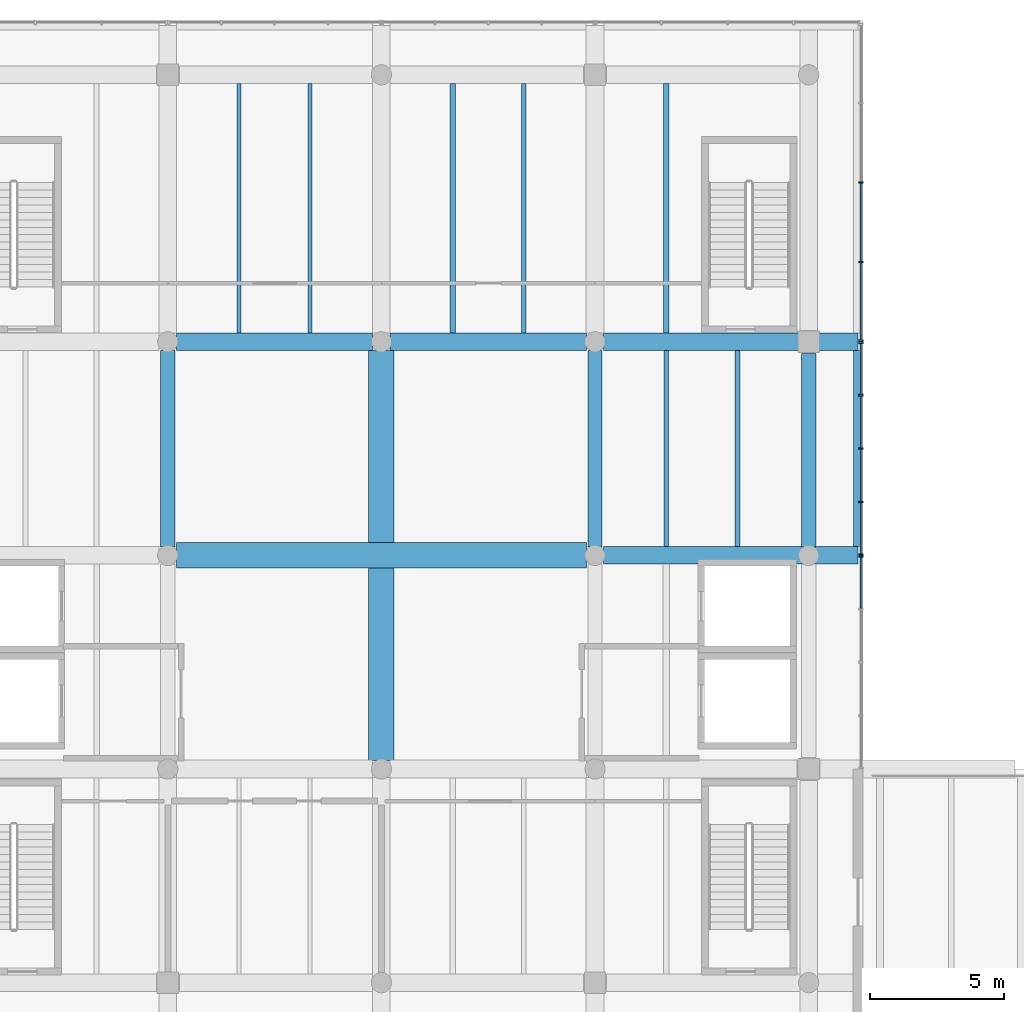
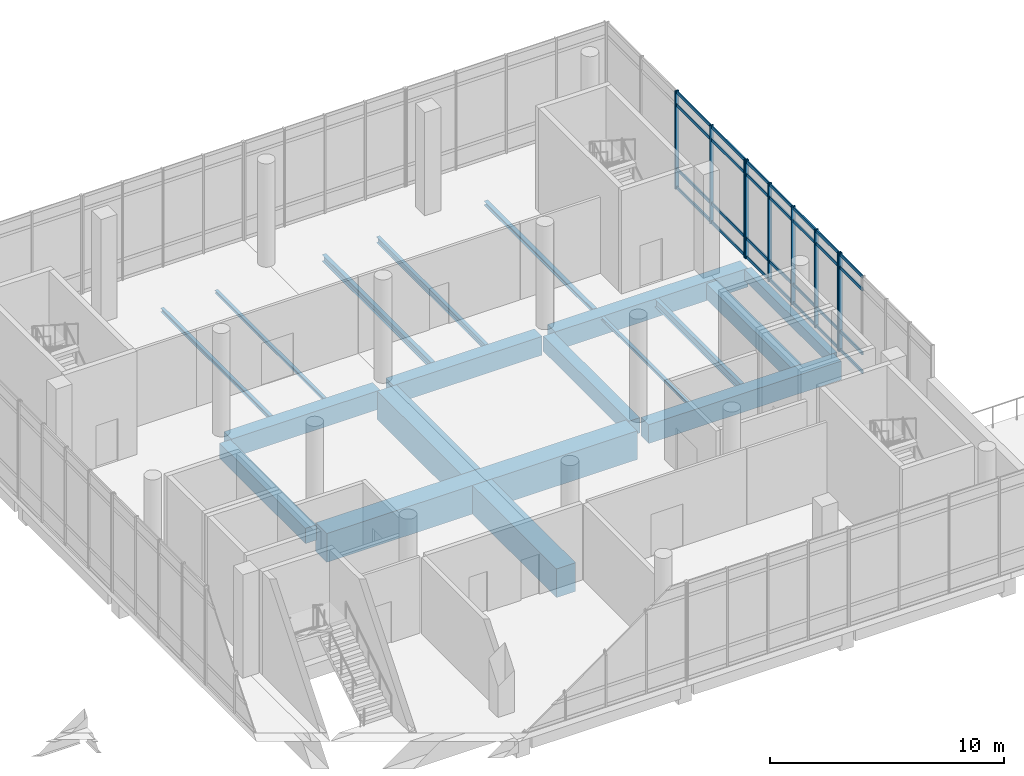
# One storey, part 6 of 20: 37 members, 17 beams, 3 elements without a shape of their own.
"""IFC4 building model written with IfcOpenShell, lengths in metres."""

from ifc_helpers import new_model, si_unit, direction, frame, origin, origin_2d, place, context, subcontext, project, spatial, rectangle, i_section, extrude, material, material_profile, profile_set, type_object, element, aggregate, save


model = new_model("IFC4")

# Units and contexts
model_context = context("Model", 3, precision=1e-05, world=origin(), true_north=direction((0.0, 1.0)))
body_context = subcontext(model_context, "Body", "Model", "MODEL_VIEW")
ifc_project = project(units=[si_unit("LENGTHUNIT", "METRE"), si_unit("AREAUNIT", "SQUARE_METRE"), si_unit("VOLUMEUNIT", "CUBIC_METRE"), si_unit("PLANEANGLEUNIT", "RADIAN"), si_unit("MASSUNIT", "GRAM", prefix="KILO")], contexts=[model_context])

# Site, building, storey
site_placement = place(None, origin())
site = spatial("IfcSite", under=ifc_project, at=site_placement, CompositionType="ELEMENT")
building_placement = place(site_placement, origin())
building = spatial("IfcBuilding", under=site, at=building_placement, Name="Pecanmere Concourse Central Library", CompositionType="ELEMENT")
storey_placement = place(building_placement, frame((0.0, 0.0, 24.89990234375)))
storey = spatial("IfcBuildingStorey", under=building, at=storey_placement, Name="L06", CompositionType="ELEMENT", Elevation=24.89990234375)

# Curtain wall, member
ifc_material_1 = material(Name="Anodized bronze aluminium alloy 6063-T6", Category="aluminium")
curtain_wall_type = type_object("IfcCurtainWallType", Name="CW_PLUMB_BANDED", PredefinedType="USERDEFINED", material=ifc_material_1)
curtain_wall_1_placement = place(storey_placement, origin())
curtain_wall_1 = element("IfcCurtainWall", 1, at=curtain_wall_1_placement, inside=storey, type_object=curtain_wall_type, Name="Unitised Curtain Wall CW-02 L06-078", ObjectType="UNITISED CURTAIN WALL", PredefinedType="USERDEFINED")
ifc_material_2 = material(Name="Anodized bronze aluminium alloy 6063-T6", Category="aluminium")
ifc_material_profile_1 = material_profile(ifc_material_2, rectangle(XDim=0.06494140625, YDim=0.179931640625, at=origin_2d()), Name="AL 65x180")
ifc_profile_set_1 = profile_set([ifc_material_profile_1], Name="Anodized bronze aluminium alloy 6063-T6")
member_type_1 = type_object("IfcMemberType", Name="CWM_180x65", PredefinedType="MULLION", material=ifc_profile_set_1)
member_1_placement = place(storey_placement, frame((105.96142578125, 105.96240234375, 0.0), z_axis=(0.0, 0.0, 1.0), x_axis=(0.0, 1.0, 0.0)))
member_1 = element("IfcMember", 2, at=member_1_placement, type_object=member_type_1, Name="CW-02 Mullion 5", PredefinedType="MULLION", context=body_context, shape_type="SweptSolid", body=[
    extrude(rectangle(XDim=0.06494140625, YDim=0.179931640625, at=origin_2d()), origin(), (0.0, 0.0, 1.0), 5.14013671875),
])

# Curtain wall, members
curtain_wall_2_placement = place(storey_placement, origin())
curtain_wall_2 = element("IfcCurtainWall", 3, at=curtain_wall_2_placement, inside=storey, type_object=curtain_wall_type, Name="Unitised Curtain Wall CW-02 L06-079", ObjectType="UNITISED CURTAIN WALL", PredefinedType="USERDEFINED")
member_2_placement = place(storey_placement, frame((105.96142578125, 106.03759765625, 0.0), z_axis=(0.0, 0.0, 1.0), x_axis=(0.0, 1.0, 0.0)))
member_2 = element("IfcMember", 4, at=member_2_placement, type_object=member_type_1, Name="CW-02 Mullion 1", PredefinedType="MULLION", context=body_context, shape_type="SweptSolid", body=[
    extrude(rectangle(XDim=0.06494140625, YDim=0.179931640625, at=origin_2d()), origin(), (0.0, 0.0, 1.0), 5.14013671875),
])
member_3_placement = place(storey_placement, frame((105.96142578125, 108.00244140625, 0.0), z_axis=(0.0, 0.0, 1.0), x_axis=(0.0, 1.0, 0.0)))
member_3 = element("IfcMember", 5, at=member_3_placement, type_object=member_type_1, Name="CW-02 Mullion 2", PredefinedType="MULLION", context=body_context, shape_type="SweptSolid", body=[
    extrude(rectangle(XDim=0.06494140625, YDim=0.179931640625, at=origin_2d()), origin(), (0.0, 0.0, 1.0), 5.14013671875),
])
member_4_placement = place(storey_placement, frame((105.96142578125, 110.0, 0.0), z_axis=(0.0, 0.0, 1.0), x_axis=(0.0, 1.0, 0.0)))
member_4 = element("IfcMember", 6, at=member_4_placement, type_object=member_type_1, Name="CW-02 Mullion 3", PredefinedType="MULLION", context=body_context, shape_type="SweptSolid", body=[
    extrude(rectangle(XDim=0.06494140625, YDim=0.179931640625, at=origin_2d()), origin(), (0.0, 0.0, 1.0), 5.14013671875),
])
member_5_placement = place(storey_placement, frame((105.96142578125, 111.99755859375, 0.0), z_axis=(0.0, 0.0, 1.0), x_axis=(0.0, 1.0, 0.0)))
member_5 = element("IfcMember", 7, at=member_5_placement, type_object=member_type_1, Name="CW-02 Mullion 4", PredefinedType="MULLION", context=body_context, shape_type="SweptSolid", body=[
    extrude(rectangle(XDim=0.06494140625, YDim=0.179931640625, at=origin_2d()), origin(), (0.0, 0.0, 1.0), 5.14013671875),
])
member_6_placement = place(storey_placement, frame((105.96142578125, 113.96240234375, 0.0), z_axis=(0.0, 0.0, 1.0), x_axis=(0.0, 1.0, 0.0)))
member_6 = element("IfcMember", 8, at=member_6_placement, type_object=member_type_1, Name="CW-02 Mullion 5", PredefinedType="MULLION", context=body_context, shape_type="SweptSolid", body=[
    extrude(rectangle(XDim=0.06494140625, YDim=0.179931640625, at=origin_2d()), origin(), (0.0, 0.0, 1.0), 5.14013671875),
])

curtain_wall_3_placement = place(storey_placement, origin())
curtain_wall_3 = element("IfcCurtainWall", 9, at=curtain_wall_3_placement, inside=storey, type_object=curtain_wall_type, Name="Unitised Curtain Wall CW-02 L06-080", ObjectType="UNITISED CURTAIN WALL", PredefinedType="USERDEFINED")
member_7_placement = place(storey_placement, frame((105.96142578125, 114.03759765625, 0.0), z_axis=(0.0, 0.0, 1.0), x_axis=(0.0, 1.0, 0.0)))
member_7 = element("IfcMember", 10, at=member_7_placement, type_object=member_type_1, Name="CW-02 Mullion 1", PredefinedType="MULLION", context=body_context, shape_type="SweptSolid", body=[
    extrude(rectangle(XDim=0.06494140625, YDim=0.179931640625, at=origin_2d()), origin(), (0.0, 0.0, 1.0), 5.14013671875),
])
member_8_placement = place(storey_placement, frame((105.96142578125, 116.984130859375, 0.0), z_axis=(0.0, 0.0, 1.0), x_axis=(0.0, 1.0, 0.0)))
member_8 = element("IfcMember", 11, at=member_8_placement, type_object=member_type_1, Name="CW-02 Mullion 2", PredefinedType="MULLION", context=body_context, shape_type="SweptSolid", body=[
    extrude(rectangle(XDim=0.06494140625, YDim=0.179931640625, at=origin_2d()), origin(), (0.0, 0.0, 1.0), 5.14013671875),
])
member_9_placement = place(storey_placement, frame((105.96142578125, 119.963134765625, 0.0), z_axis=(0.0, 0.0, 1.0), x_axis=(0.0, 1.0, 0.0)))
member_9 = element("IfcMember", 12, at=member_9_placement, type_object=member_type_1, Name="CW-02 Mullion 3", PredefinedType="MULLION", context=body_context, shape_type="SweptSolid", body=[
    extrude(rectangle(XDim=0.06494140625, YDim=0.179931640625, at=origin_2d()), origin(), (0.0, 0.0, 1.0), 5.14013671875),
])

# Member
ifc_material_3 = material(Name="Anodized bronze aluminium alloy 6063-T6", Category="aluminium")
ifc_material_profile_2 = material_profile(ifc_material_3, rectangle(XDim=0.06005859375, YDim=0.159912109375, at=origin_2d()), Name="AL 60x160")
ifc_profile_set_2 = profile_set([ifc_material_profile_2], Name="Anodized bronze aluminium alloy 6063-T6")
member_type_2 = type_object("IfcMemberType", Name="CWT_160x60", PredefinedType="USERDEFINED", material=ifc_profile_set_2)
member_10_placement = place(storey_placement, frame((105.96142578125, 104.030029296875, 0.080078125), z_axis=(0.0, 1.0, 0.0), x_axis=(-1.0, 0.0, 0.0)))
member_10 = element("IfcMember", 13, at=member_10_placement, type_object=member_type_2, Name="CW-02 Transom 4.1", ObjectType="TRANSOM", PredefinedType="USERDEFINED", context=body_context, shape_type="SweptSolid", body=[
    extrude(rectangle(XDim=0.06005859375, YDim=0.159912109375, at=origin_2d()), origin(), (0.0, 0.0, 1.0), 1.89990234375),
])

member_11_placement = place(storey_placement, frame((105.96142578125, 104.030029296875, 1.050048828125), z_axis=(0.0, 1.0, 0.0), x_axis=(-1.0, 0.0, 0.0)))
member_11 = element("IfcMember", 14, at=member_11_placement, type_object=member_type_2, Name="CW-02 Transom 4.2", ObjectType="TRANSOM", PredefinedType="USERDEFINED", context=body_context, shape_type="SweptSolid", body=[
    extrude(rectangle(XDim=0.06005859375, YDim=0.159912109375, at=origin_2d()), origin(), (0.0, 0.0, 1.0), 1.89990234375),
])

member_12_placement = place(storey_placement, frame((105.96142578125, 104.030029296875, 4.39013671875), z_axis=(0.0, 1.0, 0.0), x_axis=(-1.0, 0.0, 0.0)))
member_12 = element("IfcMember", 15, at=member_12_placement, type_object=member_type_2, Name="CW-02 Transom 4.3", ObjectType="TRANSOM", PredefinedType="USERDEFINED", context=body_context, shape_type="SweptSolid", body=[
    extrude(rectangle(XDim=0.06005859375, YDim=0.159912109375, at=origin_2d()), origin(), (0.0, 0.0, 1.0), 1.89990234375),
])

member_13_placement = place(storey_placement, frame((105.96142578125, 104.030029296875, 5.06005859375), z_axis=(0.0, 1.0, 0.0), x_axis=(-1.0, 0.0, 0.0)))
member_13 = element("IfcMember", 16, at=member_13_placement, type_object=member_type_2, Name="CW-02 Transom 4.4", ObjectType="TRANSOM", PredefinedType="USERDEFINED", context=body_context, shape_type="SweptSolid", body=[
    extrude(rectangle(XDim=0.06005859375, YDim=0.159912109375, at=origin_2d()), origin(), (0.0, 0.0, 1.0), 1.89990234375),
])

aggregate(curtain_wall_1, [member_1, member_10, member_11, member_12, member_13])

member_14_placement = place(storey_placement, frame((105.96142578125, 106.070068359375, 0.080078125), z_axis=(0.0, 1.0, 0.0), x_axis=(-1.0, 0.0, 0.0)))
member_14 = element("IfcMember", 17, at=member_14_placement, type_object=member_type_2, Name="CW-02 Transom 1.1", ObjectType="TRANSOM", PredefinedType="USERDEFINED", context=body_context, shape_type="SweptSolid", body=[
    extrude(rectangle(XDim=0.06005859375, YDim=0.159912109375, at=origin_2d()), origin(), (0.0, 0.0, 1.0), 1.89990234375),
])

member_15_placement = place(storey_placement, frame((105.96142578125, 106.070068359375, 1.050048828125), z_axis=(0.0, 1.0, 0.0), x_axis=(-1.0, 0.0, 0.0)))
member_15 = element("IfcMember", 18, at=member_15_placement, type_object=member_type_2, Name="CW-02 Transom 1.2", ObjectType="TRANSOM", PredefinedType="USERDEFINED", context=body_context, shape_type="SweptSolid", body=[
    extrude(rectangle(XDim=0.06005859375, YDim=0.159912109375, at=origin_2d()), origin(), (0.0, 0.0, 1.0), 1.89990234375),
])

member_16_placement = place(storey_placement, frame((105.96142578125, 106.070068359375, 4.39013671875), z_axis=(0.0, 1.0, 0.0), x_axis=(-1.0, 0.0, 0.0)))
member_16 = element("IfcMember", 19, at=member_16_placement, type_object=member_type_2, Name="CW-02 Transom 1.3", ObjectType="TRANSOM", PredefinedType="USERDEFINED", context=body_context, shape_type="SweptSolid", body=[
    extrude(rectangle(XDim=0.06005859375, YDim=0.159912109375, at=origin_2d()), origin(), (0.0, 0.0, 1.0), 1.89990234375),
])

member_17_placement = place(storey_placement, frame((105.96142578125, 106.070068359375, 5.06005859375), z_axis=(0.0, 1.0, 0.0), x_axis=(-1.0, 0.0, 0.0)))
member_17 = element("IfcMember", 20, at=member_17_placement, type_object=member_type_2, Name="CW-02 Transom 1.4", ObjectType="TRANSOM", PredefinedType="USERDEFINED", context=body_context, shape_type="SweptSolid", body=[
    extrude(rectangle(XDim=0.06005859375, YDim=0.159912109375, at=origin_2d()), origin(), (0.0, 0.0, 1.0), 1.89990234375),
])

member_18_placement = place(storey_placement, frame((105.96142578125, 108.034912109375, 0.080078125), z_axis=(0.0, 1.0, 0.0), x_axis=(-1.0, 0.0, 0.0)))
member_18 = element("IfcMember", 21, at=member_18_placement, type_object=member_type_2, Name="CW-02 Transom 2.1", ObjectType="TRANSOM", PredefinedType="USERDEFINED", context=body_context, shape_type="SweptSolid", body=[
    extrude(rectangle(XDim=0.06005859375, YDim=0.159912109375, at=origin_2d()), origin(), (0.0, 0.0, 1.0), 1.9326171875),
])

member_19_placement = place(storey_placement, frame((105.96142578125, 108.034912109375, 1.050048828125), z_axis=(0.0, 1.0, 0.0), x_axis=(-1.0, 0.0, 0.0)))
member_19 = element("IfcMember", 22, at=member_19_placement, type_object=member_type_2, Name="CW-02 Transom 2.2", ObjectType="TRANSOM", PredefinedType="USERDEFINED", context=body_context, shape_type="SweptSolid", body=[
    extrude(rectangle(XDim=0.06005859375, YDim=0.159912109375, at=origin_2d()), origin(), (0.0, 0.0, 1.0), 1.9326171875),
])

member_20_placement = place(storey_placement, frame((105.96142578125, 108.034912109375, 4.39013671875), z_axis=(0.0, 1.0, 0.0), x_axis=(-1.0, 0.0, 0.0)))
member_20 = element("IfcMember", 23, at=member_20_placement, type_object=member_type_2, Name="CW-02 Transom 2.3", ObjectType="TRANSOM", PredefinedType="USERDEFINED", context=body_context, shape_type="SweptSolid", body=[
    extrude(rectangle(XDim=0.06005859375, YDim=0.159912109375, at=origin_2d()), origin(), (0.0, 0.0, 1.0), 1.9326171875),
])

member_21_placement = place(storey_placement, frame((105.96142578125, 108.034912109375, 5.06005859375), z_axis=(0.0, 1.0, 0.0), x_axis=(-1.0, 0.0, 0.0)))
member_21 = element("IfcMember", 24, at=member_21_placement, type_object=member_type_2, Name="CW-02 Transom 2.4", ObjectType="TRANSOM", PredefinedType="USERDEFINED", context=body_context, shape_type="SweptSolid", body=[
    extrude(rectangle(XDim=0.06005859375, YDim=0.159912109375, at=origin_2d()), origin(), (0.0, 0.0, 1.0), 1.9326171875),
])

member_22_placement = place(storey_placement, frame((105.96142578125, 110.032470703125, 0.080078125), z_axis=(0.0, 1.0, 0.0), x_axis=(-1.0, 0.0, 0.0)))
member_22 = element("IfcMember", 25, at=member_22_placement, type_object=member_type_2, Name="CW-02 Transom 3.1", ObjectType="TRANSOM", PredefinedType="USERDEFINED", context=body_context, shape_type="SweptSolid", body=[
    extrude(rectangle(XDim=0.06005859375, YDim=0.159912109375, at=origin_2d()), origin(), (0.0, 0.0, 1.0), 1.9326171875),
])

member_23_placement = place(storey_placement, frame((105.96142578125, 110.032470703125, 1.050048828125), z_axis=(0.0, 1.0, 0.0), x_axis=(-1.0, 0.0, 0.0)))
member_23 = element("IfcMember", 26, at=member_23_placement, type_object=member_type_2, Name="CW-02 Transom 3.2", ObjectType="TRANSOM", PredefinedType="USERDEFINED", context=body_context, shape_type="SweptSolid", body=[
    extrude(rectangle(XDim=0.06005859375, YDim=0.159912109375, at=origin_2d()), origin(), (0.0, 0.0, 1.0), 1.9326171875),
])

member_24_placement = place(storey_placement, frame((105.96142578125, 110.032470703125, 4.39013671875), z_axis=(0.0, 1.0, 0.0), x_axis=(-1.0, 0.0, 0.0)))
member_24 = element("IfcMember", 27, at=member_24_placement, type_object=member_type_2, Name="CW-02 Transom 3.3", ObjectType="TRANSOM", PredefinedType="USERDEFINED", context=body_context, shape_type="SweptSolid", body=[
    extrude(rectangle(XDim=0.06005859375, YDim=0.159912109375, at=origin_2d()), origin(), (0.0, 0.0, 1.0), 1.9326171875),
])

member_25_placement = place(storey_placement, frame((105.96142578125, 110.032470703125, 5.06005859375), z_axis=(0.0, 1.0, 0.0), x_axis=(-1.0, 0.0, 0.0)))
member_25 = element("IfcMember", 28, at=member_25_placement, type_object=member_type_2, Name="CW-02 Transom 3.4", ObjectType="TRANSOM", PredefinedType="USERDEFINED", context=body_context, shape_type="SweptSolid", body=[
    extrude(rectangle(XDim=0.06005859375, YDim=0.159912109375, at=origin_2d()), origin(), (0.0, 0.0, 1.0), 1.9326171875),
])

member_26_placement = place(storey_placement, frame((105.96142578125, 112.030029296875, 0.080078125), z_axis=(0.0, 1.0, 0.0), x_axis=(-1.0, 0.0, 0.0)))
member_26 = element("IfcMember", 29, at=member_26_placement, type_object=member_type_2, Name="CW-02 Transom 4.1", ObjectType="TRANSOM", PredefinedType="USERDEFINED", context=body_context, shape_type="SweptSolid", body=[
    extrude(rectangle(XDim=0.06005859375, YDim=0.159912109375, at=origin_2d()), origin(), (0.0, 0.0, 1.0), 1.89990234375),
])

member_27_placement = place(storey_placement, frame((105.96142578125, 112.030029296875, 1.050048828125), z_axis=(0.0, 1.0, 0.0), x_axis=(-1.0, 0.0, 0.0)))
member_27 = element("IfcMember", 30, at=member_27_placement, type_object=member_type_2, Name="CW-02 Transom 4.2", ObjectType="TRANSOM", PredefinedType="USERDEFINED", context=body_context, shape_type="SweptSolid", body=[
    extrude(rectangle(XDim=0.06005859375, YDim=0.159912109375, at=origin_2d()), origin(), (0.0, 0.0, 1.0), 1.89990234375),
])

member_28_placement = place(storey_placement, frame((105.96142578125, 112.030029296875, 4.39013671875), z_axis=(0.0, 1.0, 0.0), x_axis=(-1.0, 0.0, 0.0)))
member_28 = element("IfcMember", 31, at=member_28_placement, type_object=member_type_2, Name="CW-02 Transom 4.3", ObjectType="TRANSOM", PredefinedType="USERDEFINED", context=body_context, shape_type="SweptSolid", body=[
    extrude(rectangle(XDim=0.06005859375, YDim=0.159912109375, at=origin_2d()), origin(), (0.0, 0.0, 1.0), 1.89990234375),
])

member_29_placement = place(storey_placement, frame((105.96142578125, 112.030029296875, 5.06005859375), z_axis=(0.0, 1.0, 0.0), x_axis=(-1.0, 0.0, 0.0)))
member_29 = element("IfcMember", 32, at=member_29_placement, type_object=member_type_2, Name="CW-02 Transom 4.4", ObjectType="TRANSOM", PredefinedType="USERDEFINED", context=body_context, shape_type="SweptSolid", body=[
    extrude(rectangle(XDim=0.06005859375, YDim=0.159912109375, at=origin_2d()), origin(), (0.0, 0.0, 1.0), 1.89990234375),
])

aggregate(curtain_wall_2, [member_2, member_3, member_4, member_5, member_6, member_14, member_15, member_16, member_17, member_18, member_19, member_20, member_21, member_22, member_23, member_24, member_25, member_26, member_27, member_28, member_29])

member_30_placement = place(storey_placement, frame((105.96142578125, 114.070068359375, 0.080078125), z_axis=(0.0, 1.0, 0.0), x_axis=(-1.0, 0.0, 0.0)))
member_30 = element("IfcMember", 33, at=member_30_placement, type_object=member_type_2, Name="CW-02 Transom 1.1", ObjectType="TRANSOM", PredefinedType="USERDEFINED", context=body_context, shape_type="SweptSolid", body=[
    extrude(rectangle(XDim=0.06005859375, YDim=0.159912109375, at=origin_2d()), origin(), (0.0, 0.0, 1.0), 2.881591796875),
])

member_31_placement = place(storey_placement, frame((105.96142578125, 114.070068359375, 1.050048828125), z_axis=(0.0, 1.0, 0.0), x_axis=(-1.0, 0.0, 0.0)))
member_31 = element("IfcMember", 34, at=member_31_placement, type_object=member_type_2, Name="CW-02 Transom 1.2", ObjectType="TRANSOM", PredefinedType="USERDEFINED", context=body_context, shape_type="SweptSolid", body=[
    extrude(rectangle(XDim=0.06005859375, YDim=0.159912109375, at=origin_2d()), origin(), (0.0, 0.0, 1.0), 2.881591796875),
])

member_32_placement = place(storey_placement, frame((105.96142578125, 114.070068359375, 4.39013671875), z_axis=(0.0, 1.0, 0.0), x_axis=(-1.0, 0.0, 0.0)))
member_32 = element("IfcMember", 35, at=member_32_placement, type_object=member_type_2, Name="CW-02 Transom 1.3", ObjectType="TRANSOM", PredefinedType="USERDEFINED", context=body_context, shape_type="SweptSolid", body=[
    extrude(rectangle(XDim=0.06005859375, YDim=0.159912109375, at=origin_2d()), origin(), (0.0, 0.0, 1.0), 2.881591796875),
])

member_33_placement = place(storey_placement, frame((105.96142578125, 114.070068359375, 5.06005859375), z_axis=(0.0, 1.0, 0.0), x_axis=(-1.0, 0.0, 0.0)))
member_33 = element("IfcMember", 36, at=member_33_placement, type_object=member_type_2, Name="CW-02 Transom 1.4", ObjectType="TRANSOM", PredefinedType="USERDEFINED", context=body_context, shape_type="SweptSolid", body=[
    extrude(rectangle(XDim=0.06005859375, YDim=0.159912109375, at=origin_2d()), origin(), (0.0, 0.0, 1.0), 2.881591796875),
])

member_34_placement = place(storey_placement, frame((105.96142578125, 117.0166015625, 0.080078125), z_axis=(0.0, 1.0, 0.0), x_axis=(-1.0, 0.0, 0.0)))
member_34 = element("IfcMember", 37, at=member_34_placement, type_object=member_type_2, Name="CW-02 Transom 2.1", ObjectType="TRANSOM", PredefinedType="USERDEFINED", context=body_context, shape_type="SweptSolid", body=[
    extrude(rectangle(XDim=0.06005859375, YDim=0.159912109375, at=origin_2d()), origin(), (0.0, 0.0, 1.0), 2.9140625),
])

member_35_placement = place(storey_placement, frame((105.96142578125, 117.0166015625, 1.050048828125), z_axis=(0.0, 1.0, 0.0), x_axis=(-1.0, 0.0, 0.0)))
member_35 = element("IfcMember", 38, at=member_35_placement, type_object=member_type_2, Name="CW-02 Transom 2.2", ObjectType="TRANSOM", PredefinedType="USERDEFINED", context=body_context, shape_type="SweptSolid", body=[
    extrude(rectangle(XDim=0.06005859375, YDim=0.159912109375, at=origin_2d()), origin(), (0.0, 0.0, 1.0), 2.9140625),
])

member_36_placement = place(storey_placement, frame((105.96142578125, 117.0166015625, 4.39013671875), z_axis=(0.0, 1.0, 0.0), x_axis=(-1.0, 0.0, 0.0)))
member_36 = element("IfcMember", 39, at=member_36_placement, type_object=member_type_2, Name="CW-02 Transom 2.3", ObjectType="TRANSOM", PredefinedType="USERDEFINED", context=body_context, shape_type="SweptSolid", body=[
    extrude(rectangle(XDim=0.06005859375, YDim=0.159912109375, at=origin_2d()), origin(), (0.0, 0.0, 1.0), 2.9140625),
])

member_37_placement = place(storey_placement, frame((105.96142578125, 117.0166015625, 5.06005859375), z_axis=(0.0, 1.0, 0.0), x_axis=(-1.0, 0.0, 0.0)))
member_37 = element("IfcMember", 40, at=member_37_placement, type_object=member_type_2, Name="CW-02 Transom 2.4", ObjectType="TRANSOM", PredefinedType="USERDEFINED", context=body_context, shape_type="SweptSolid", body=[
    extrude(rectangle(XDim=0.06005859375, YDim=0.159912109375, at=origin_2d()), origin(), (0.0, 0.0, 1.0), 2.9140625),
])

aggregate(curtain_wall_3, [member_7, member_8, member_9, member_30, member_31, member_32, member_33, member_34, member_35, member_36, member_37])

# Beams
ifc_material_4 = material(Name="Concrete C40/50", Category="concrete")
ifc_material_profile_3 = material_profile(ifc_material_4, rectangle(XDim=0.5400390625, YDim=0.800048828125, at=origin_2d()), Name="RC 540x800")
ifc_profile_set_3 = profile_set([ifc_material_profile_3], Name="Concrete C40/50")
beam_type_1 = type_object("IfcBeamType", Name="GRD_540x800", PredefinedType="USERDEFINED", material=ifc_profile_set_3)
for number, where, z_axis, x_axis, name in (
    (41, (80.0, 106.324951171875, -0.699951171875), (0.0, 1.0, 0.0), (-1.0, 0.0, 0.0), "Primary Girder Y L06-2690"),
    (42, (96.0, 106.324951171875, -0.699951171875), (0.0, 1.0, 0.0), (-1.0, 0.0, 0.0), "Primary Girder Y L06-2697"),
):
    element("IfcBeam", number, at=place(storey_placement, frame(where, z_axis=z_axis, x_axis=x_axis)), inside=storey, type_object=beam_type_1, Name=name, ObjectType="GIRDER", PredefinedType="USERDEFINED", context=body_context, shape_type="SweptSolid", body=[
        extrude(rectangle(XDim=0.5400390625, YDim=0.800048828125, at=origin_2d()), origin(), (0.0, 0.0, 1.0), 7.35009765625),
    ])
beam_1_placement = place(storey_placement, frame((104.0, 106.324951171875, -0.699951171875), z_axis=(0.0, 1.0, 0.0), x_axis=(-1.0, 0.0, 0.0)))
element("IfcBeam", 43, at=beam_1_placement, inside=storey, type_object=beam_type_1, Name="Primary Girder Y L06-2701", ObjectType="GIRDER", PredefinedType="USERDEFINED", context=body_context, shape_type="SweptSolid", body=[
    extrude(rectangle(XDim=0.5400390625, YDim=0.800048828125, at=origin_2d()), origin(), (0.0, 0.0, 1.0), 7.2451171875),
])
ifc_material_5 = material(Name="Concrete C40/50", Category="concrete")
ifc_material_profile_4 = material_profile(ifc_material_5, rectangle(XDim=0.659912109375, YDim=0.97998046875, at=origin_2d()), Name="RC 660x980")
ifc_profile_set_4 = profile_set([ifc_material_profile_4], Name="Concrete C40/50")
beam_type_2 = type_object("IfcBeamType", Name="GRD_660x980", PredefinedType="USERDEFINED", material=ifc_profile_set_4)
beam_2_placement = place(storey_placement, frame((96.324951171875, 106.0, -0.789794921875), z_axis=(1.0, 0.0, 0.0), x_axis=(0.0, 1.0, 0.0)))
element("IfcBeam", 44, at=beam_2_placement, inside=storey, type_object=beam_type_2, Name="Primary Girder X L06-2660", ObjectType="GIRDER", PredefinedType="USERDEFINED", context=body_context, shape_type="SweptSolid", body=[
    extrude(rectangle(XDim=0.659912109375, YDim=0.97998046875, at=origin_2d()), origin(), (0.0, 0.0, 1.0), 9.526611328125),
])
for number, where, z_axis, x_axis, name in (
    (45, (80.324951171875, 114.0, -0.789794921875), (1.0, 0.0, 0.0), (0.0, 1.0, 0.0), "Primary Girder X L06-2662"),
    (46, (88.324951171875, 114.0, -0.789794921875), (1.0, 0.0, 0.0), (0.0, 1.0, 0.0), "Primary Girder X L06-2663"),
):
    element("IfcBeam", number, at=place(storey_placement, frame(where, z_axis=z_axis, x_axis=x_axis)), inside=storey, type_object=beam_type_2, Name=name, ObjectType="GIRDER", PredefinedType="USERDEFINED", context=body_context, shape_type="SweptSolid", body=[
        extrude(rectangle(XDim=0.659912109375, YDim=0.97998046875, at=origin_2d()), origin(), (0.0, 0.0, 1.0), 7.35009765625),
    ])
beam_3_placement = place(storey_placement, frame((96.324951171875, 114.0, -0.789794921875), z_axis=(1.0, 0.0, 0.0), x_axis=(0.0, 1.0, 0.0)))
element("IfcBeam", 47, at=beam_3_placement, inside=storey, type_object=beam_type_2, Name="Primary Girder X L06-2664", ObjectType="GIRDER", PredefinedType="USERDEFINED", context=body_context, shape_type="SweptSolid", body=[
    extrude(rectangle(XDim=0.659912109375, YDim=0.97998046875, at=origin_2d()), origin(), (0.0, 0.0, 1.0), 9.526611328125),
])
ifc_material_6 = material(Name="Structural steel ASTM A992 Grade 50", Category="steel")
ifc_material_profile_5 = material_profile(ifc_material_6, i_section(OverallWidth=0.152099609375, OverallDepth=0.152099609375, WebThickness=0.005859375, FlangeThickness=0.006591796875, at=origin_2d()), Name="W150x22.5")
ifc_profile_set_5 = profile_set([ifc_material_profile_5], Name="Structural steel ASTM A992 Grade 50")
beam_type_3 = type_object("IfcBeamType", Name="SBM_W150x22", PredefinedType="LINTEL", material=ifc_profile_set_5)
beam_4_placement = place(storey_placement, frame((85.333251953125, 114.330078125, -0.3759765625), z_axis=(0.0, 1.0, 0.0), x_axis=(-1.0, 0.0, 0.0)))
element("IfcBeam", 48, at=beam_4_placement, inside=storey, type_object=beam_type_3, Name="Secondary Floor Joist L06-2756", PredefinedType="LINTEL", context=body_context, shape_type="SweptSolid", body=[
    extrude(i_section(OverallWidth=0.152099609375, OverallDepth=0.152099609375, WebThickness=0.005859375, FlangeThickness=0.006591796875, at=origin_2d()), origin(), (0.0, 0.0, 1.0), 9.33984375),
])
beam_5_placement = place(storey_placement, frame((98.666748046875, 106.330078125, -0.3759765625), z_axis=(0.0, 1.0, 0.0), x_axis=(-1.0, 0.0, 0.0)))
element("IfcBeam", 49, at=beam_5_placement, inside=storey, type_object=beam_type_3, Name="Secondary Floor Joist L06-2763", PredefinedType="LINTEL", context=body_context, shape_type="SweptSolid", body=[
    extrude(i_section(OverallWidth=0.152099609375, OverallDepth=0.152099609375, WebThickness=0.005859375, FlangeThickness=0.006591796875, at=origin_2d()), origin(), (0.0, 0.0, 1.0), 7.33984375),
])
ifc_material_7 = material(Name="Structural steel ASTM A992 Grade 50", Category="steel")
ifc_material_profile_6 = material_profile(ifc_material_7, i_section(OverallWidth=0.1650390625, OverallDepth=0.200927734375, WebThickness=0.006103515625, FlangeThickness=0.01025390625, at=origin_2d()), Name="W200x35.9")
ifc_profile_set_6 = profile_set([ifc_material_profile_6], Name="Structural steel ASTM A992 Grade 50")
beam_type_4 = type_object("IfcBeamType", Name="SBM_W200x36", PredefinedType="LINTEL", material=ifc_profile_set_6)
beam_6_placement = place(storey_placement, frame((82.666748046875, 114.330078125, -0.400390625), z_axis=(0.0, 1.0, 0.0), x_axis=(-1.0, 0.0, 0.0)))
element("IfcBeam", 50, at=beam_6_placement, inside=storey, type_object=beam_type_4, Name="Secondary Floor Joist L06-2755", PredefinedType="LINTEL", context=body_context, shape_type="SweptSolid", body=[
    extrude(i_section(OverallWidth=0.1650390625, OverallDepth=0.200927734375, WebThickness=0.006103515625, FlangeThickness=0.01025390625, at=origin_2d()), origin(), (0.0, 0.0, 1.0), 9.33984375),
])
ifc_material_8 = material(Name="Structural steel ASTM A992 Grade 50", Category="steel")
ifc_material_profile_7 = material_profile(ifc_material_8, i_section(OverallWidth=0.2041015625, OverallDepth=0.2060546875, WebThickness=0.0078125, FlangeThickness=0.0126953125, at=origin_2d()), Name="W200x52")
ifc_profile_set_7 = profile_set([ifc_material_profile_7], Name="Structural steel ASTM A992 Grade 50")
beam_type_5 = type_object("IfcBeamType", Name="SBM_W200x52", PredefinedType="JOIST", material=ifc_profile_set_7)
beam_7_placement = place(storey_placement, frame((98.666748046875, 114.330078125, -0.40283203125), z_axis=(0.0, 1.0, 0.0), x_axis=(-1.0, 0.0, 0.0)))
element("IfcBeam", 51, at=beam_7_placement, inside=storey, type_object=beam_type_5, Name="Secondary Floor Joist L06-2765", PredefinedType="JOIST", context=body_context, shape_type="SweptSolid", body=[
    extrude(i_section(OverallWidth=0.2041015625, OverallDepth=0.2060546875, WebThickness=0.0078125, FlangeThickness=0.0126953125, at=origin_2d()), origin(), (0.0, 0.0, 1.0), 9.33984375),
])
ifc_material_9 = material(Name="Structural steel ASTM A992 Grade 50", Category="steel")
ifc_material_profile_8 = material_profile(ifc_material_9, i_section(OverallWidth=0.1669921875, OverallDepth=0.31689453125, WebThickness=0.007568359375, FlangeThickness=0.01318359375, at=origin_2d()), Name="W310x52")
ifc_profile_set_8 = profile_set([ifc_material_profile_8], Name="Structural steel ASTM A992 Grade 50")
beam_type_6 = type_object("IfcBeamType", Name="SBM_W310x52", PredefinedType="JOIST", material=ifc_profile_set_8)
beam_8_placement = place(storey_placement, frame((93.333251953125, 114.330078125, -0.45849609375), z_axis=(0.0, 1.0, 0.0), x_axis=(-1.0, 0.0, 0.0)))
element("IfcBeam", 52, at=beam_8_placement, inside=storey, type_object=beam_type_6, Name="Secondary Floor Joist L06-2760", PredefinedType="JOIST", context=body_context, shape_type="SweptSolid", body=[
    extrude(i_section(OverallWidth=0.1669921875, OverallDepth=0.31689453125, WebThickness=0.007568359375, FlangeThickness=0.01318359375, at=origin_2d()), origin(), (0.0, 0.0, 1.0), 9.33984375),
])
ifc_material_10 = material(Name="Structural steel ASTM A992 Grade 50", Category="steel")
ifc_material_profile_9 = material_profile(ifc_material_10, i_section(OverallWidth=0.202880859375, OverallDepth=0.346923828125, WebThickness=0.0078125, FlangeThickness=0.013427734375, at=origin_2d()), Name="W360x64")
ifc_profile_set_9 = profile_set([ifc_material_profile_9], Name="Structural steel ASTM A992 Grade 50")
beam_type_7 = type_object("IfcBeamType", Name="SBM_W360x64", PredefinedType="JOIST", material=ifc_profile_set_9)
beam_9_placement = place(storey_placement, frame((90.666748046875, 114.330078125, -0.473388671875), z_axis=(0.0, 1.0, 0.0), x_axis=(-1.0, 0.0, 0.0)))
element("IfcBeam", 53, at=beam_9_placement, inside=storey, type_object=beam_type_7, Name="Secondary Floor Joist L06-2759", PredefinedType="JOIST", context=body_context, shape_type="SweptSolid", body=[
    extrude(i_section(OverallWidth=0.202880859375, OverallDepth=0.346923828125, WebThickness=0.0078125, FlangeThickness=0.013427734375, at=origin_2d()), origin(), (0.0, 0.0, 1.0), 9.33984375),
])
ifc_material_11 = material(Name="Structural steel ASTM A992 Grade 50", Category="steel")
ifc_material_profile_10 = material_profile(ifc_material_11, i_section(OverallWidth=0.177978515625, OverallDepth=0.406982421875, WebThickness=0.0078125, FlangeThickness=0.0126953125, at=origin_2d()), Name="W410x60")
ifc_profile_set_10 = profile_set([ifc_material_profile_10], Name="Structural steel ASTM A992 Grade 50")
beam_type_8 = type_object("IfcBeamType", Name="SBM_W410x60", PredefinedType="JOIST", material=ifc_profile_set_10)
beam_10_placement = place(storey_placement, frame((101.333251953125, 106.330078125, -0.50341796875), z_axis=(0.0, 1.0, 0.0), x_axis=(-1.0, 0.0, 0.0)))
element("IfcBeam", 54, at=beam_10_placement, inside=storey, type_object=beam_type_8, Name="Secondary Floor Joist L06-2764", PredefinedType="JOIST", context=body_context, shape_type="SweptSolid", body=[
    extrude(i_section(OverallWidth=0.177978515625, OverallDepth=0.406982421875, WebThickness=0.0078125, FlangeThickness=0.0126953125, at=origin_2d()), origin(), (0.0, 0.0, 1.0), 7.33984375),
])
ifc_material_12 = material(Name="Concrete C40/50", Category="concrete")
ifc_material_profile_11 = material_profile(ifc_material_12, rectangle(XDim=0.340087890625, YDim=0.580078125, at=origin_2d()), Name="RC 340x580")
ifc_profile_set_11 = profile_set([ifc_material_profile_11], Name="Concrete C40/50")
beam_type_9 = type_object("IfcBeamType", Name="SPB_340x580", PredefinedType="BEAM", material=ifc_profile_set_11)
beam_11_placement = place(storey_placement, frame((105.8515625, 106.330078125, -0.58984375), z_axis=(0.0, 1.0, 0.0), x_axis=(-1.0, 0.0, 0.0)))
element("IfcBeam", 55, at=beam_11_placement, inside=storey, type_object=beam_type_9, Name="Leaning Facade Edge Beam L06-2728", PredefinedType="BEAM", context=body_context, shape_type="SweptSolid", body=[
    extrude(rectangle(XDim=0.340087890625, YDim=0.580078125, at=origin_2d()), origin(), (0.0, 0.0, 1.0), 7.33984375),
])
ifc_material_13 = material(Name="Concrete C40/50", Category="concrete")
ifc_material_profile_12 = material_profile(ifc_material_13, rectangle(XDim=0.949951171875, YDim=1.5, at=origin_2d()), Name="RC 950x1500")
ifc_profile_set_12 = profile_set([ifc_material_profile_12], Name="Concrete C40/50")
beam_type_10 = type_object("IfcBeamType", Name="TG_950x1500", PredefinedType="USERDEFINED", material=ifc_profile_set_12)
for number, where, z_axis, x_axis, name in (
    (56, (80.324951171875, 106.0, -1.0498046875), (1.0, 0.0, 0.0), (0.0, 1.0, 0.0), "Primary Girder X L06-2659"),
    (57, (88.0, 98.324951171875, -1.0498046875), (0.0, 1.0, 0.0), (-1.0, 0.0, 0.0), "Primary Girder Y L06-2693"),
):
    element("IfcBeam", number, at=place(storey_placement, frame(where, z_axis=z_axis, x_axis=x_axis)), inside=storey, type_object=beam_type_10, Name=name, ObjectType="GIRDER", PredefinedType="USERDEFINED", context=body_context, shape_type="SweptSolid", body=[
        extrude(rectangle(XDim=0.949951171875, YDim=1.5, at=origin_2d()), origin(), (0.0, 0.0, 1.0), 15.35009765625),
    ])

save(model, "model.ifc")
